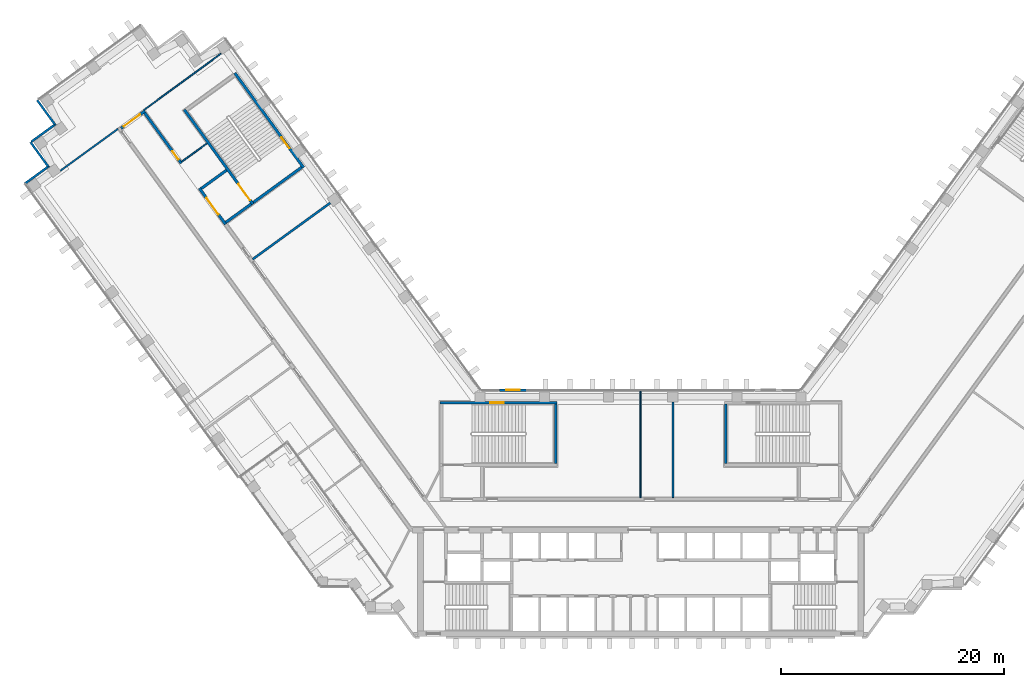
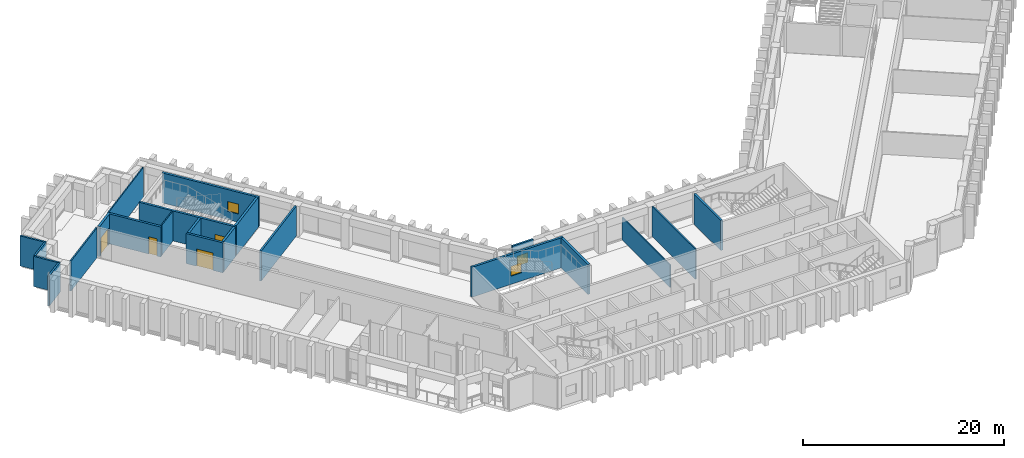
# One storey, part 10 of 16: 22 walls, 4 doors, 3 windows, 7 openings.
"""IFC4 building model written with IfcOpenShell, lengths in metres."""

from ifc_helpers import new_model, si_unit, direction, frame, frame_2d, origin, place, context, subcontext, project, spatial, rectangle, extrude, material, layer, layer_set, type_object, element, fill, save


model = new_model("IFC4")

# Units and contexts
model_context = context("Model", 3, precision=1e-05, world=origin(), true_north=direction((0.0, 1.0)))
body_context = subcontext(model_context, "Body", "Model", "MODEL_VIEW")
ifc_project = project(units=[si_unit("LENGTHUNIT", "METRE"), si_unit("AREAUNIT", "SQUARE_METRE"), si_unit("VOLUMEUNIT", "CUBIC_METRE"), si_unit("PLANEANGLEUNIT", "RADIAN"), si_unit("MASSUNIT", "GRAM", prefix="KILO")], contexts=[model_context])

# Site, building, storey
site_placement = place(None, origin())
site = spatial("IfcSite", under=ifc_project, at=site_placement, CompositionType="ELEMENT")
building_placement = place(site_placement, origin())
building = spatial("IfcBuilding", under=site, at=building_placement, Name="Quipu Civic Tower", CompositionType="ELEMENT")
storey_placement = place(building_placement, frame((0.0, 0.0, 63.0)))
storey = spatial("IfcBuildingStorey", under=building, at=storey_placement, Name="L14", CompositionType="ELEMENT", Elevation=63.0)

# Walls
ifc_material_1 = material(Name="Double gypsum plasterboard with mineral wool")
ifc_layer_1 = layer(ifc_material_1, 0.14990234375)
ifc_layer_set_1 = layer_set([ifc_layer_1], Name="Double gypsum plasterboard with mineral wool")
wall_type_1 = type_object("IfcWallType", Name="Acoustic partition 150 plasterboard", PredefinedType="PARTITIONING", material=ifc_layer_set_1)
wall_1_placement = place(storey_placement, frame((-52.06201171875, 30.783447265625, 0.0), z_axis=(0.0, 0.0, 1.0), x_axis=(0.808992766665, 0.58781859743, 0.0)))
element("IfcWall", 1, at=wall_1_placement, inside=storey, type_object=wall_type_1, Name="Partition P04", PredefinedType="PARTITIONING", context=body_context, shape_type="SweptSolid", body=[
    extrude(rectangle(XDim=6.414306640625, YDim=0.14990234375, at=frame_2d((3.20703125, 0.0))), origin(), (0.0, 0.0, 1.0), 3.64990234375),
])
wall_2_placement = place(storey_placement, frame((2.89892578125, 10.044921875, 0.0), z_axis=(0.0, 0.0, 1.0), x_axis=(0.0, -1.0, 0.0)))
element("IfcWall", 2, at=wall_2_placement, inside=storey, type_object=wall_type_1, Name="Partition P05", PredefinedType="PARTITIONING", context=body_context, shape_type="SweptSolid", body=[
    extrude(rectangle(XDim=8.594970703125, YDim=0.14990234375, at=frame_2d((4.29736328125, 0.0))), origin(), (0.0, 0.0, 1.0), 3.64990234375),
])
ifc_material_2 = material(Name="Fired clay blockwork", Category="masonry")
ifc_layer_2 = layer(ifc_material_2, 0.199951171875)
ifc_layer_set_2 = layer_set([ifc_layer_2], Name="Fired clay blockwork")
wall_type_2 = type_object("IfcWallType", Name="Blockwork wall 200", PredefinedType="SOLIDWALL", material=ifc_layer_set_2)
wall_3_placement = place(storey_placement, frame((-27.851318359375, 27.8974609375, 0.0), z_axis=(0.0, 0.0, 1.0), x_axis=(-0.809030728677, -0.587766348183, 0.0)))
element("IfcWall", 3, at=wall_3_placement, inside=storey, type_object=wall_type_2, Name="Partition P02", PredefinedType="SOLIDWALL", context=body_context, shape_type="SweptSolid", body=[
    extrude(rectangle(XDim=8.596435546875, YDim=0.199951171875, at=frame_2d((4.29833984375, 0.0))), origin(), (0.0, 0.0, 1.0), 3.64990234375),
])
ifc_material_3 = material(Name="Concrete C70/85", Category="concrete")
ifc_layer_3 = layer(ifc_material_3, 0.25)
ifc_layer_set_3 = layer_set([ifc_layer_3], Name="Concrete C70/85")
wall_type_3 = type_object("IfcWallType", Name="Core wall 250", PredefinedType="SHEAR", material=ifc_layer_set_3)
wall_4_placement = place(storey_placement, frame((-7.625, 4.5, 0.0), z_axis=(0.0, 0.0, 1.0), x_axis=(0.0, 1.0, 0.0)))
element("IfcWall", 4, at=wall_4_placement, inside=storey, type_object=wall_type_3, Name="Core wall", PredefinedType="SHEAR", context=body_context, shape_type="SweptSolid", body=[
    extrude(rectangle(XDim=5.35009765625, YDim=0.25, at=frame_2d((2.675048828125, 0.0))), origin(), (0.0, 0.0, 1.0), 3.64990234375),
])

# Wall, opening, window
wall_5_placement = place(storey_placement, frame((-18.0, 9.97509765625, 0.0), z_axis=(0.0, 0.0, 1.0), x_axis=(1.0, 0.0, 0.0)))
wall_5 = element("IfcWall", 5, at=wall_5_placement, inside=storey, type_object=wall_type_3, Name="Core wall", PredefinedType="SHEAR", context=body_context, shape_type="SweptSolid", body=[
    extrude(rectangle(XDim=10.5, YDim=0.25, at=frame_2d((5.25, 0.0))), origin(), (0.0, 0.0, 1.0), 3.64990234375),
])
opening_1_placement = place(wall_5_placement, frame((4.5, 0.0, 1.0)))
opening_1 = element("IfcOpeningElement", 6, at=opening_1_placement, cuts=wall_5, Name="Opening SV-3", PredefinedType="OPENING", context=body_context, shape_type="SweptSolid", body=[
    extrude(rectangle(XDim=1.199951171875, YDim=1.199951171875, at=frame_2d((0.60009765625, 0.60009765625))), frame((0.0, 0.135009765625, 0.0), z_axis=(0.0, -1.0, 0.0), x_axis=(1.0, 0.0, 0.0)), (0.0, 0.0, 1.0), 0.27001953125),
])
ifc_material_4 = material(Name="Aluminium louvre", Category="aluminium")
window_type_1 = type_object("IfcWindowType", Name="Stair ventilation louvre 1200 x 1200", PartitioningType="SINGLE_PANEL", PredefinedType="WINDOW", material=ifc_material_4)
window_1_placement = place(opening_1_placement, origin())
window_1 = element("IfcWindow", 7, at=window_1_placement, inside=storey, type_object=window_type_1, Name="Stair ventilation opening", OverallHeight=1.199951171875, OverallWidth=1.199951171875, PartitioningType="SINGLE_PANEL", PredefinedType="WINDOW", context=body_context, shape_type="SweptSolid", body=[
    extrude(rectangle(XDim=1.199951171875, YDim=1.199951171875, at=frame_2d((0.60009765625, 0.60009765625))), frame((0.0, 0.030029296875, 0.0), z_axis=(0.0, -1.0, 0.0), x_axis=(1.0, 0.0, 0.0)), (0.0, 0.0, 1.0), 0.06005859375),
])
fill(opening_1, window_1)

# Wall
wall_6_placement = place(storey_placement, frame((7.625, 4.5, 0.0), z_axis=(0.0, 0.0, 1.0), x_axis=(0.0, 1.0, 0.0)))
element("IfcWall", 8, at=wall_6_placement, inside=storey, type_object=wall_type_3, Name="Core wall", PredefinedType="SHEAR", context=body_context, shape_type="SweptSolid", body=[
    extrude(rectangle(XDim=5.35009765625, YDim=0.25, at=frame_2d((2.675048828125, 0.0))), origin(), (0.0, 0.0, 1.0), 3.64990234375),
])

# Wall, opening, window
wall_7_placement = place(storey_placement, frame((-30.239501953125, 31.06396484375, 0.0), z_axis=(0.0, 0.0, 1.0), x_axis=(-0.587795589702, 0.809009483706, 0.0)))
wall_7 = element("IfcWall", 9, at=wall_7_placement, inside=storey, type_object=wall_type_3, Name="Core wall", PredefinedType="SHEAR", context=body_context, shape_type="SweptSolid", body=[
    extrude(rectangle(XDim=10.5, YDim=0.25, at=frame_2d((5.25, 0.0))), origin(), (0.0, 0.0, 1.0), 3.64990234375),
])
opening_2_placement = place(wall_7_placement, frame((2.14990234375, 0.0, 1.0)))
opening_2 = element("IfcOpeningElement", 10, at=opening_2_placement, cuts=wall_7, Name="Opening SV-6", PredefinedType="OPENING", context=body_context, shape_type="SweptSolid", body=[
    extrude(rectangle(XDim=1.199951171875, YDim=1.199951171875, at=frame_2d((0.60009765625, 0.60009765625))), frame((0.0, 0.135009765625, 0.0), z_axis=(0.0, -1.0, 0.0), x_axis=(1.0, 0.0, 0.0)), (0.0, 0.0, 1.0), 0.27001953125),
])
window_2_placement = place(opening_2_placement, origin())
window_2 = element("IfcWindow", 11, at=window_2_placement, inside=storey, type_object=window_type_1, Name="Stair ventilation opening", OverallHeight=1.199951171875, OverallWidth=1.199951171875, PartitioningType="SINGLE_PANEL", PredefinedType="WINDOW", context=body_context, shape_type="SweptSolid", body=[
    extrude(rectangle(XDim=1.199951171875, YDim=1.199951171875, at=frame_2d((0.60009765625, 0.60009765625))), frame((0.0, 0.030029296875, 0.0), z_axis=(0.0, -1.0, 0.0), x_axis=(1.0, 0.0, 0.0)), (0.0, 0.0, 1.0), 0.06005859375),
])
fill(opening_2, window_2)

# Wall
wall_8_placement = place(storey_placement, frame((-30.414306640625, 31.091796875, 0.0), z_axis=(0.0, 0.0, 1.0), x_axis=(-0.8089984606, -0.587810760999, 0.0)))
element("IfcWall", 12, at=wall_8_placement, inside=storey, type_object=wall_type_3, Name="Core wall", PredefinedType="SHEAR", context=body_context, shape_type="SweptSolid", body=[
    extrude(rectangle(XDim=5.35009765625, YDim=0.25, at=frame_2d((2.675048828125, 0.0))), origin(), (0.0, 0.0, 1.0), 3.64990234375),
])

# Wall, opening, door
wall_9_placement = place(storey_placement, frame((-40.94189453125, 36.26708984375, 0.0), z_axis=(0.0, 0.0, 1.0), x_axis=(0.587795589702, -0.809009483706, 0.0)))
wall_9 = element("IfcWall", 13, at=wall_9_placement, inside=storey, type_object=wall_type_3, Name="Core wall", PredefinedType="SHEAR", context=body_context, shape_type="SweptSolid", body=[
    extrude(rectangle(XDim=10.5, YDim=0.25, at=frame_2d((5.25, 0.0))), origin(), (0.0, 0.0, 1.0), 3.64990234375),
])
opening_3_placement = place(wall_9_placement, frame((8.25, 0.0, 0.0)))
opening_3 = element("IfcOpeningElement", 14, at=opening_3_placement, cuts=wall_9, Name="Opening CD-20", PredefinedType="OPENING", context=body_context, shape_type="SweptSolid", body=[
    extrude(rectangle(XDim=1.800048828125, YDim=2.10009765625, at=frame_2d((0.89990234375, 1.050048828125))), frame((0.0, 0.135009765625, 0.0), z_axis=(0.0, -1.0, 0.0), x_axis=(1.0, 0.0, 0.0)), (0.0, 0.0, 1.0), 0.27001953125),
])
ifc_material_5 = material(Name="Fire rated steel door", Category="steel")
door_type_1 = type_object("IfcDoorType", Name="Fire door FD90 double 1800 x 2100", OperationType="NOTDEFINED", PredefinedType="DOOR", material=ifc_material_5)
door_1_placement = place(opening_3_placement, origin())
door_1 = element("IfcDoor", 15, at=door_1_placement, inside=storey, type_object=door_type_1, Name="Door", OperationType="DOUBLE_DOOR_SINGLE_SWING", OverallHeight=2.10009765625, OverallWidth=1.800048828125, PredefinedType="DOOR", context=body_context, shape_type="SweptSolid", body=[
    extrude(rectangle(XDim=1.800048828125, YDim=2.10009765625, at=frame_2d((0.89990234375, 1.050048828125))), frame((0.0, 0.02490234375, 0.0), z_axis=(0.0, -1.0, 0.0), x_axis=(1.0, 0.0, 0.0)), (0.0, 0.0, 1.0), 0.050048828125),
])
fill(opening_3, door_1)

# Walls
for number, where, z_axis, x_axis, name in (
    (16, (-34.944580078125, 27.800048828125, 0.0), (0.0, 0.0, 1.0), (-0.809041377956, -0.587751689708, 0.0), "Core wall"),
    (17, (-37.14892578125, 30.833984375, 0.0), (0.0, 0.0, 1.0), (-0.808969789945, -0.58785021813, 0.0), "Core wall"),
):
    element("IfcWall", number, at=place(storey_placement, frame(where, z_axis=z_axis, x_axis=x_axis)), inside=storey, type_object=wall_type_3, Name=name, PredefinedType="SHEAR", context=body_context, shape_type="SweptSolid", body=[
        extrude(rectangle(XDim=2.800048828125, YDim=0.25, at=frame_2d((1.39990234375, 0.0))), origin(), (0.0, 0.0, 1.0), 3.64990234375),
    ])

# Wall, opening, door
wall_10_placement = place(storey_placement, frame((-39.588623046875, 29.2158203125, 0.0), z_axis=(0.0, 0.0, 1.0), x_axis=(0.587772420479, -0.809026317077, 0.0)))
wall_10 = element("IfcWall", 18, at=wall_10_placement, inside=storey, type_object=wall_type_3, Name="Core wall", PredefinedType="SHEAR", context=body_context, shape_type="SweptSolid", body=[
    extrude(rectangle(XDim=4.0, YDim=0.25, at=frame_2d((2.0, 0.0))), origin(), (0.0, 0.0, 1.0), 3.64990234375),
])
opening_4_placement = place(wall_10_placement, frame((1.10009765625, 0.0, 0.0)))
opening_4 = element("IfcOpeningElement", 19, at=opening_4_placement, cuts=wall_10, Name="Opening CD-21", PredefinedType="OPENING", context=body_context, shape_type="SweptSolid", body=[
    extrude(rectangle(XDim=1.800048828125, YDim=2.10009765625, at=frame_2d((0.89990234375, 1.050048828125))), frame((0.0, 0.135009765625, 0.0), z_axis=(0.0, -1.0, 0.0), x_axis=(1.0, 0.0, 0.0)), (0.0, 0.0, 1.0), 0.27001953125),
])
door_2_placement = place(opening_4_placement, origin())
door_2 = element("IfcDoor", 20, at=door_2_placement, inside=storey, type_object=door_type_1, Name="Lobby door", OperationType="DOUBLE_DOOR_SINGLE_SWING", OverallHeight=2.10009765625, OverallWidth=1.800048828125, PredefinedType="DOOR", context=body_context, shape_type="SweptSolid", body=[
    extrude(rectangle(XDim=1.800048828125, YDim=2.10009765625, at=frame_2d((0.89990234375, 1.050048828125))), frame((0.0, 0.02490234375, 0.0), z_axis=(0.0, -1.0, 0.0), x_axis=(1.0, 0.0, 0.0)), (0.0, 0.0, 1.0), 0.050048828125),
])
fill(opening_4, door_2)

ifc_material_6 = material(Name="Concrete C50/60", Category="concrete")
ifc_layer_4 = layer(ifc_material_6, 0.25)
ifc_layer_set_4 = layer_set([ifc_layer_4], Name="Concrete C50/60")
wall_type_4 = type_object("IfcWallType", Name="Corridor wall 250 concrete", PredefinedType="SOLIDWALL", material=ifc_layer_set_4)
wall_11_placement = place(storey_placement, frame((-46.613037109375, 34.587890625, 0.0), z_axis=(0.0, 0.0, 1.0), x_axis=(0.808994936898, 0.587815610607, 0.0)))
wall_11 = element("IfcWall", 21, at=wall_11_placement, inside=storey, type_object=wall_type_4, Name="Corridor wall C02", PredefinedType="SOLIDWALL", context=body_context, shape_type="SweptSolid", body=[
    extrude(rectangle(XDim=2.650146484375, YDim=0.25, at=frame_2d((1.3251953125, 0.0))), origin(), (0.0, 0.0, 1.0), 3.64990234375),
])
opening_5_placement = place(wall_11_placement, frame((0.29931640625, 0.0, 0.0)))
opening_5 = element("IfcOpeningElement", 22, at=opening_5_placement, cuts=wall_11, Name="Opening D021", PredefinedType="OPENING", context=body_context, shape_type="SweptSolid", body=[
    extrude(rectangle(XDim=1.800048828125, YDim=2.10009765625, at=frame_2d((0.89990234375, 1.050048828125))), frame((0.0, 0.135009765625, 0.0), z_axis=(0.0, -1.0, 0.0), x_axis=(1.0, 0.0, 0.0)), (0.0, 0.0, 1.0), 0.27001953125),
])
ifc_material_7 = material(Name="Fire rated timber door set with metal frame", Category="wood")
door_type_2 = type_object("IfcDoorType", Name="Double door 1800 x 2100 FD60", OperationType="DOUBLE_DOOR_SINGLE_SWING", PredefinedType="DOOR", material=ifc_material_7)
door_3_placement = place(opening_5_placement, origin())
door_3 = element("IfcDoor", 23, at=door_3_placement, inside=storey, type_object=door_type_2, Name="Door D021", OperationType="DOUBLE_DOOR_SINGLE_SWING", OverallHeight=2.10009765625, OverallWidth=1.800048828125, PredefinedType="DOOR", context=body_context, shape_type="SweptSolid", body=[
    extrude(rectangle(XDim=1.800048828125, YDim=2.10009765625, at=frame_2d((0.89990234375, 1.050048828125))), frame((0.0, 0.02490234375, 0.0), z_axis=(0.0, -1.0, 0.0), x_axis=(1.0, 0.0, 0.0)), (0.0, 0.0, 1.0), 0.050048828125),
])
fill(opening_5, door_3)

wall_12_placement = place(storey_placement, frame((-44.49658203125, 35.97119140625, 0.0), z_axis=(0.0, 0.0, 1.0), x_axis=(0.587742866856, -0.809047787501, 0.0)))
wall_12 = element("IfcWall", 24, at=wall_12_placement, inside=storey, type_object=wall_type_4, Name="Corridor wall C03", PredefinedType="SOLIDWALL", context=body_context, shape_type="SweptSolid", body=[
    extrude(rectangle(XDim=5.58642578125, YDim=0.25, at=frame_2d((2.793212890625, 0.0))), origin(), (0.0, 0.0, 1.0), 3.64990234375),
])
opening_6_placement = place(wall_12_placement, frame((4.2451171875, 0.0, 0.0)))
opening_6 = element("IfcOpeningElement", 25, at=opening_6_placement, cuts=wall_12, Name="Opening D011", PredefinedType="OPENING", context=body_context, shape_type="SweptSolid", body=[
    extrude(rectangle(XDim=0.89990234375, YDim=2.10009765625, at=frame_2d((0.449951171875, 1.050048828125))), frame((0.0, 0.135009765625, 0.0), z_axis=(0.0, -1.0, 0.0), x_axis=(1.0, 0.0, 0.0)), (0.0, 0.0, 1.0), 0.27001953125),
])
ifc_material_8 = material(Name="Fire rated timber door set with metal frame", Category="wood")
door_type_3 = type_object("IfcDoorType", Name="Single door 900 x 2100 FD60", OperationType="NOTDEFINED", PredefinedType="DOOR", material=ifc_material_8)
door_4_placement = place(opening_6_placement, origin())
door_4 = element("IfcDoor", 26, at=door_4_placement, inside=storey, type_object=door_type_3, Name="Door D011", OperationType="SINGLE_SWING_RIGHT", OverallHeight=2.10009765625, OverallWidth=0.89990234375, PredefinedType="DOOR", context=body_context, shape_type="SweptSolid", body=[
    extrude(rectangle(XDim=0.89990234375, YDim=2.10009765625, at=frame_2d((0.449951171875, 1.050048828125))), frame((0.0, 0.02490234375, 0.0), z_axis=(0.0, -1.0, 0.0), x_axis=(1.0, 0.0, 0.0)), (0.0, 0.0, 1.0), 0.050048828125),
])
fill(opening_6, door_4)

# Walls
ifc_material_9 = material(Name="Gypsum plasterboard on light gauge framing")
ifc_layer_5 = layer(ifc_material_9, 0.1201171875)
ifc_layer_set_5 = layer_set([ifc_layer_5], Name="Gypsum plasterboard on light gauge framing")
wall_type_5 = type_object("IfcWallType", Name="Partition 120 plasterboard", PredefinedType="PARTITIONING", material=ifc_layer_set_5)
wall_13_placement = place(storey_placement, frame((-44.55908203125, 36.235107421875, 0.0), z_axis=(0.0, 0.0, 1.0), x_axis=(0.806949857155, 0.590619952286, 0.0)))
element("IfcWall", 27, at=wall_13_placement, inside=storey, type_object=wall_type_5, Name="Partition P03", PredefinedType="PARTITIONING", context=body_context, shape_type="SweptSolid", body=[
    extrude(rectangle(XDim=8.5703125, YDim=0.1201171875, at=frame_2d((4.28515625, 0.0))), origin(), (0.0, 0.0, 1.0), 3.64990234375),
])
wall_14_placement = place(storey_placement, frame((-0.02001953125, 1.449951171875, 0.0), z_axis=(0.0, 0.0, 1.0), x_axis=(0.0, 1.0, 0.0)))
element("IfcWall", 28, at=wall_14_placement, inside=storey, type_object=wall_type_5, Name="Partition P13", PredefinedType="PARTITIONING", context=body_context, shape_type="SweptSolid", body=[
    extrude(rectangle(XDim=9.550048828125, YDim=0.1201171875, at=frame_2d((4.77490234375, 0.0))), origin(), (0.0, 0.0, 1.0), 2.75),
])
wall_15_placement = place(storey_placement, frame((-41.166015625, 31.59912109375, 0.0), z_axis=(0.0, 0.0, 1.0), x_axis=(0.809090262332, 0.587684394381, 0.0)))
element("IfcWall", 29, at=wall_15_placement, inside=storey, type_object=wall_type_5, Name="Partition P16", PredefinedType="PARTITIONING", context=body_context, shape_type="SweptSolid", body=[
    extrude(rectangle(XDim=2.80078125, YDim=0.1201171875, at=frame_2d((1.400390625, 0.0))), origin(), (0.0, 0.0, 1.0), 3.64990234375),
])
ifc_material_10 = material(Name="Precast concrete C40/50", Category="concrete")
wall_type_6 = type_object("IfcWallType", Name="Precast cladding wall", PredefinedType="SOLIDWALL", material=ifc_material_10)
wall_16_placement = place(storey_placement, frame((-54.140380859375, 37.12255859375, 0.0), z_axis=(0.0, 0.0, 1.0), x_axis=(0.587822180636, -0.808990163075, 0.0)))
element("IfcWall", 30, at=wall_16_placement, inside=storey, type_object=wall_type_6, Name="Precast cladding wall L14 P07", PredefinedType="SOLIDWALL", context=body_context, shape_type="SweptSolid", body=[
    extrude(rectangle(XDim=2.699951171875, YDim=0.199951171875, at=frame_2d((1.35009765625, 0.0))), origin(), (0.0, 0.0, 1.0), 3.64990234375),
])

# Wall, opening, window
wall_17_placement = place(storey_placement, frame((-10.263427734375, 11.10009765625, 0.0), z_axis=(0.0, 0.0, 1.0), x_axis=(-1.0, 0.0, 0.0)))
wall_17 = element("IfcWall", 31, at=wall_17_placement, inside=storey, type_object=wall_type_6, Name="Vent surround SF-L12-1", PredefinedType="SOLIDWALL", context=body_context, shape_type="SweptSolid", body=[
    extrude(rectangle(XDim=2.3916015625, YDim=0.199951171875, at=frame_2d((1.19580078125, 0.0))), origin(), (0.0, 0.0, 1.0), 3.64990234375),
])
opening_7_placement = place(wall_17_placement, frame((0.595703125, 0.0, 1.0)))
opening_7 = element("IfcOpeningElement", 32, at=opening_7_placement, cuts=wall_17, Name="Opening SF-L12-1", PredefinedType="OPENING", context=body_context, shape_type="SweptSolid", body=[
    extrude(rectangle(XDim=1.199951171875, YDim=1.199951171875, at=frame_2d((0.60009765625, 0.60009765625))), frame((0.0, 0.10986328125, 0.0), z_axis=(0.0, -1.0, 0.0), x_axis=(1.0, 0.0, 0.0)), (0.0, 0.0, 1.0), 0.219970703125),
])
ifc_material_11 = material(Name="Anodised aluminium louvre", Category="aluminium")
window_type_2 = type_object("IfcWindowType", Name="Stair vent louvre window P3", PartitioningType="SINGLE_PANEL", PredefinedType="WINDOW", material=ifc_material_11)
window_3_placement = place(opening_7_placement, origin())
window_3 = element("IfcWindow", 33, at=window_3_placement, inside=storey, type_object=window_type_2, Name="Stair vent louvre SF-L12-1", OverallHeight=1.199951171875, OverallWidth=1.199951171875, PartitioningType="SINGLE_PANEL", PredefinedType="WINDOW", context=body_context, shape_type="SweptSolid", body=[
    extrude(rectangle(XDim=1.199951171875, YDim=1.199951171875, at=frame_2d((0.60009765625, 0.60009765625))), frame((0.0, 0.030029296875, 0.0), z_axis=(0.0, -1.0, 0.0), x_axis=(1.0, 0.0, 0.0)), (0.0, 0.0, 1.0), 0.06005859375),
])
fill(opening_7, window_3)

# Walls
wall_18_placement = place(storey_placement, frame((-52.46533203125, 34.9873046875, 0.0), z_axis=(0.0, 0.0, 1.0), x_axis=(-0.809033161865, -0.587762999008, 0.0)))
element("IfcWall", 34, at=wall_18_placement, inside=storey, type_object=wall_type_6, Name="Precast cladding wall L14 7", PredefinedType="SOLIDWALL", context=body_context, shape_type="SweptSolid", body=[
    extrude(rectangle(XDim=2.699951171875, YDim=0.199951171875, at=frame_2d((1.35009765625, 0.0))), origin(), (0.0, 0.0, 1.0), 3.64990234375),
])
wall_19_placement = place(storey_placement, frame((-54.73779296875, 33.351318359375, 0.0), z_axis=(0.0, 0.0, 1.0), x_axis=(0.587779184282, -0.809021403008, 0.0)))
element("IfcWall", 35, at=wall_19_placement, inside=storey, type_object=wall_type_6, Name="Precast cladding wall L14 8", PredefinedType="SOLIDWALL", context=body_context, shape_type="SweptSolid", body=[
    extrude(rectangle(XDim=2.7001953125, YDim=0.199951171875, at=frame_2d((1.35009765625, 0.0))), origin(), (0.0, 0.0, 1.0), 3.64990234375),
])
wall_20_placement = place(storey_placement, frame((-53.062744140625, 31.2158203125, 0.0), z_axis=(0.0, 0.0, 1.0), x_axis=(-0.809033161865, -0.587762999008, 0.0)))
element("IfcWall", 36, at=wall_20_placement, inside=storey, type_object=wall_type_6, Name="Precast cladding wall L14 9", PredefinedType="SOLIDWALL", context=body_context, shape_type="SweptSolid", body=[
    extrude(rectangle(XDim=2.699951171875, YDim=0.199951171875, at=frame_2d((1.35009765625, 0.0))), origin(), (0.0, 0.0, 1.0), 3.64990234375),
])

save(model, "model.ifc")
